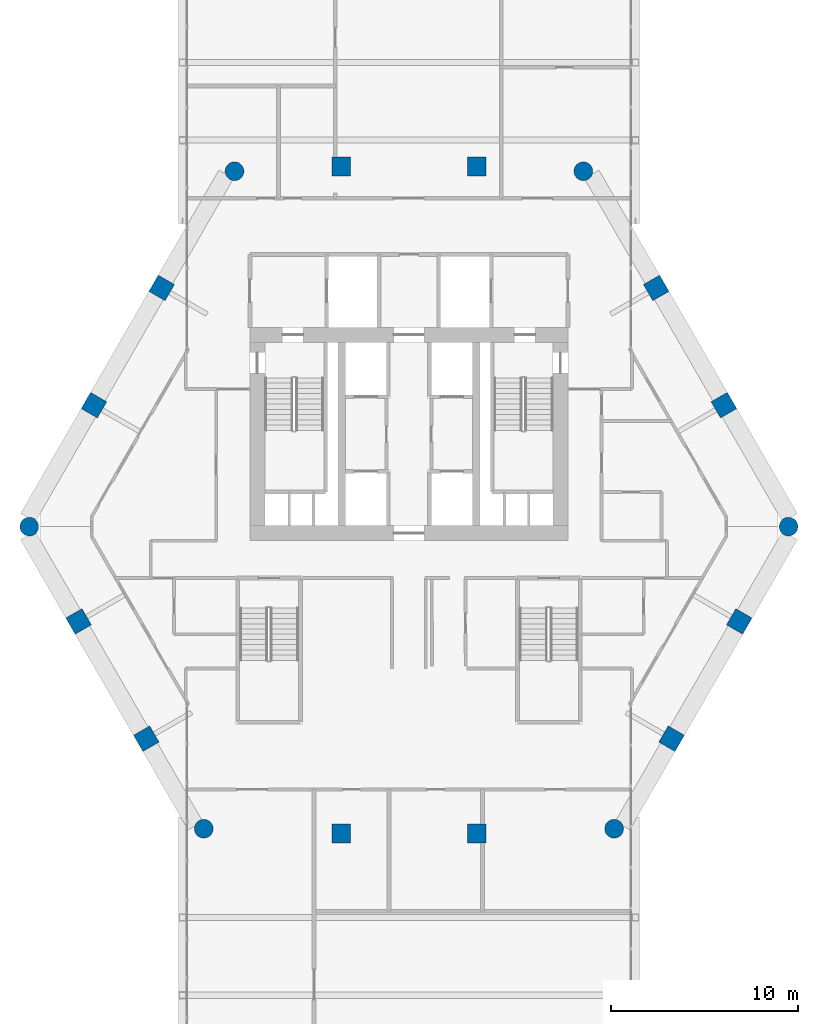
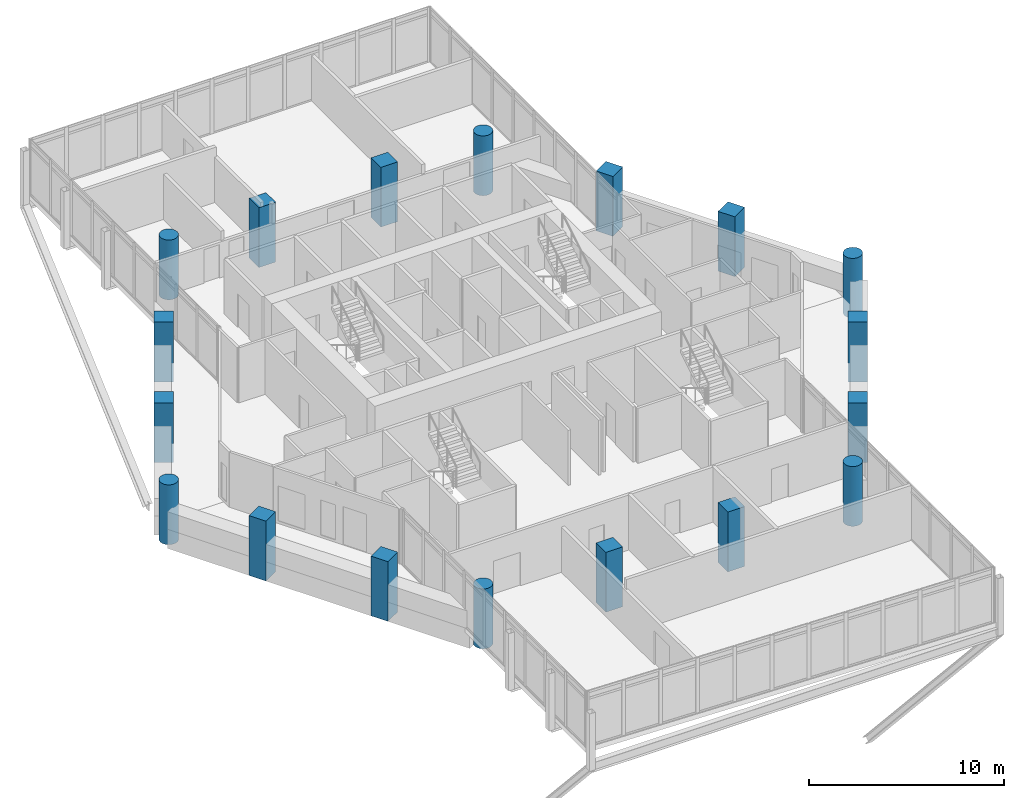
# One storey, part 1 of 38: 18 columns.
"""IFC4 building model written with IfcOpenShell, lengths in metres."""

from ifc_helpers import new_model, si_unit, direction, frame, origin, origin_2d, place, context, subcontext, project, spatial, rectangle, circle, extrude, material, material_profile, profile_set, type_object, element, save


model = new_model("IFC4")

# Units and contexts
model_context = context("Model", 3, precision=1e-05, world=origin(), true_north=direction((0.0, 1.0)))
body_context = subcontext(model_context, "Body", "Model", "MODEL_VIEW")
ifc_project = project(units=[si_unit("LENGTHUNIT", "METRE"), si_unit("AREAUNIT", "SQUARE_METRE"), si_unit("VOLUMEUNIT", "CUBIC_METRE"), si_unit("PLANEANGLEUNIT", "RADIAN"), si_unit("MASSUNIT", "GRAM", prefix="KILO")], contexts=[model_context])

# Site, building, storey
site_placement = place(None, origin())
site = spatial("IfcSite", under=ifc_project, at=site_placement, CompositionType="ELEMENT")
building_placement = place(site_placement, origin())
building = spatial("IfcBuilding", under=site, at=building_placement, Name="Ostrander Bayou Hotel Tower", CompositionType="ELEMENT")
storey_placement = place(building_placement, frame((0.0, 0.0, 194.5)))
storey = spatial("IfcBuildingStorey", under=building, at=storey_placement, Name="L48", CompositionType="ELEMENT", Elevation=194.5)

# Columns
ifc_material_1 = material(Name="Concrete f'c 60 MPa", Category="concrete")
ifc_material_profile_1 = material_profile(ifc_material_1, circle(Radius=0.5, at=origin_2d()))
ifc_profile_set_1 = profile_set([ifc_material_profile_1], Name="Concrete f'c 60 MPa")
column_type_1 = type_object("IfcColumnType", Name="C5 round column 1000 mm f'c 60 MPa", PredefinedType="COLUMN", material=ifc_profile_set_1)
for number, where, z_axis, x_axis, name in (
    (1, (-9.322509765625, 18.04541015625, -1.199951171875), (0.0, 0.0, 1.0), (1.0, 0.0, 0.0), "C5 L48 K0"),
    (2, (-20.2890625, -0.94921875, -1.199951171875), (0.0, 0.0, 1.0), (1.0, 0.0, 0.0), "C5 L48 K1"),
    (3, (-10.966552734375, -17.09619140625, -1.199951171875), (0.0, 0.0, 1.0), (1.0, 0.0, 0.0), "C5 L48 K2"),
    (4, (10.966552734375, -17.09619140625, -1.199951171875), (0.0, 0.0, 1.0), (1.0, 0.0, 0.0), "C5 L48 K3"),
    (5, (20.2890625, -0.94921875, -1.199951171875), (0.0, 0.0, 1.0), (1.0, 0.0, 0.0), "C5 L48 K4"),
    (6, (9.322509765625, 18.04541015625, -1.199951171875), (0.0, 0.0, 1.0), (1.0, 0.0, 0.0), "C5 L48 K5"),
):
    element("IfcColumn", number, at=place(storey_placement, frame(where, z_axis=z_axis, x_axis=x_axis)), inside=storey, type_object=column_type_1, Name=name, PredefinedType="COLUMN", context=body_context, shape_type="SweptSolid", body=[
        extrude(circle(Radius=0.5, at=origin_2d()), origin(), (0.0, 0.0, 1.0), 3.75),
    ])
ifc_material_2 = material(Name="Concrete f'c 60 MPa", Category="concrete")
ifc_material_profile_2 = material_profile(ifc_material_2, rectangle(XDim=1.0, YDim=1.0, at=origin_2d()))
ifc_profile_set_2 = profile_set([ifc_material_profile_2], Name="Concrete f'c 60 MPa")
column_type_2 = type_object("IfcColumnType", Name="C6 square column 1000 x 1000 mm f'c 60 MPa", PredefinedType="COLUMN", material=ifc_profile_set_2)
for number, where, z_axis, x_axis, name in (
    (7, (3.6181640625, 18.300048828125, -1.199951171875), (0.0, 0.0, 1.0), (1.0, 0.0, 0.0), "C6 L48 N1"),
    (8, (-3.6181640625, 18.300048828125, -1.199951171875), (0.0, 0.0, 1.0), (1.0, 0.0, 0.0), "C6 L48 N2"),
    (9, (-13.21728515625, 11.80859375, -1.199951171875), (0.0, 0.0, 1.0), (0.5, 0.866025403784, 0.0), "C6 L48 NW1"),
    (10, (-16.835205078125, 5.5419921875, -1.199951171875), (0.0, 0.0, 1.0), (0.5, 0.866025403784, 0.0), "C6 L48 NW2"),
    (11, (-17.6572265625, -6.0166015625, -1.199951171875), (0.0, 0.0, 1.0), (-0.5, 0.866025403784, 0.0), "C6 L48 SW1"),
    (12, (-14.039306640625, -12.283203125, -1.199951171875), (0.0, 0.0, 1.0), (-0.5, 0.866025403784, 0.0), "C6 L48 SW2"),
    (13, (-3.6181640625, -17.350830078125, -1.199951171875), (0.0, 0.0, 1.0), (-1.0, 0.0, 0.0), "C6 L48 S1"),
    (14, (3.6181640625, -17.350830078125, -1.199951171875), (0.0, 0.0, 1.0), (-1.0, 0.0, 0.0), "C6 L48 S2"),
    (15, (14.039306640625, -12.283203125, -1.199951171875), (0.0, 0.0, 1.0), (-0.5, -0.866025403784, 0.0), "C6 L48 SE1"),
    (16, (17.6572265625, -6.0166015625, -1.199951171875), (0.0, 0.0, 1.0), (-0.5, -0.866025403784, 0.0), "C6 L48 SE2"),
    (17, (16.835205078125, 5.5419921875, -1.199951171875), (0.0, 0.0, 1.0), (0.5, -0.866025403784, 0.0), "C6 L48 NE1"),
    (18, (13.21728515625, 11.80859375, -1.199951171875), (0.0, 0.0, 1.0), (0.5, -0.866025403784, 0.0), "C6 L48 NE2"),
):
    element("IfcColumn", number, at=place(storey_placement, frame(where, z_axis=z_axis, x_axis=x_axis)), inside=storey, type_object=column_type_2, Name=name, PredefinedType="COLUMN", context=body_context, shape_type="SweptSolid", body=[
        extrude(rectangle(XDim=1.0, YDim=1.0, at=origin_2d()), origin(), (0.0, 0.0, 1.0), 3.75),
    ])

save(model, "model.ifc")
